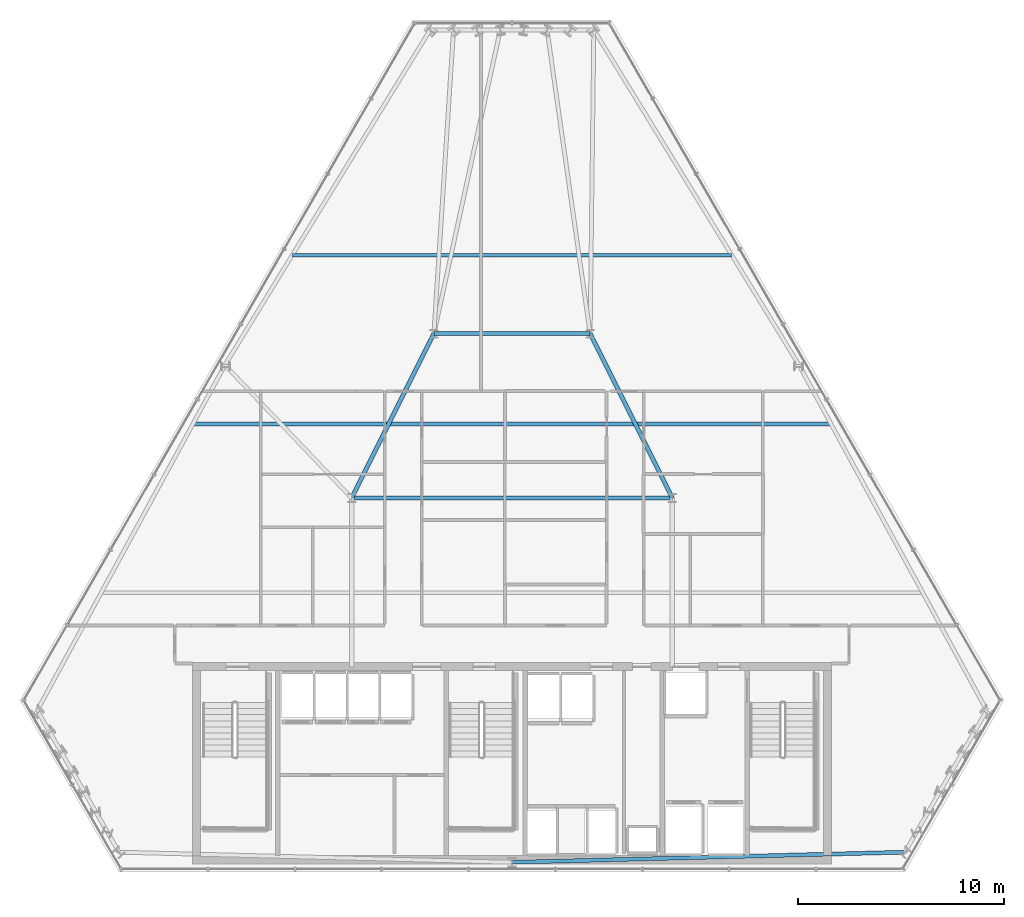
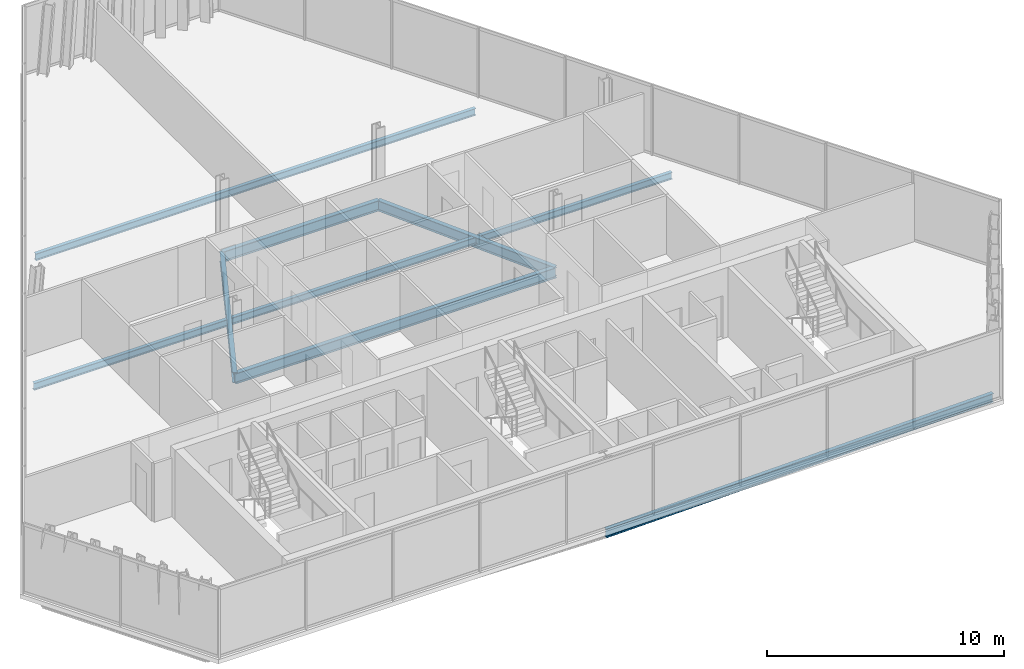
# One storey, part 13 of 33: 7 beams.
"""IFC4 building model written with IfcOpenShell, lengths in metres."""

from ifc_helpers import new_model, si_unit, direction, frame, origin, origin_2d, place, context, subcontext, project, spatial, i_section, extrude, material, material_profile, profile_set, type_object, element, save


model = new_model("IFC4")

# Units and contexts
model_context = context("Model", 3, precision=1e-05, world=origin(), true_north=direction((0.0, 1.0)))
body_context = subcontext(model_context, "Body", "Model", "MODEL_VIEW")
ifc_project = project(units=[si_unit("LENGTHUNIT", "METRE"), si_unit("AREAUNIT", "SQUARE_METRE"), si_unit("VOLUMEUNIT", "CUBIC_METRE"), si_unit("PLANEANGLEUNIT", "RADIAN"), si_unit("MASSUNIT", "GRAM", prefix="KILO")], contexts=[model_context])

# Site, building, storey
site_placement = place(None, origin())
site = spatial("IfcSite", under=ifc_project, at=site_placement, CompositionType="ELEMENT")
building_placement = place(site_placement, origin())
building = spatial("IfcBuilding", under=site, at=building_placement, Name="Ndaravel Arena Tower", CompositionType="ELEMENT")
storey_placement = place(building_placement, frame((0.0, 0.0, 187.800048828125)))
storey = spatial("IfcBuildingStorey", under=building, at=storey_placement, Name="L45", CompositionType="ELEMENT", Elevation=187.800048828125)

# Beams
ifc_material_1 = material(Name="Steel S355", Category="steel")
ifc_material_profile_1 = material_profile(ifc_material_1, i_section(OverallWidth=0.210693359375, OverallDepth=0.53955078125, WebThickness=0.01171875, FlangeThickness=0.018798828125, FilletRadius=0.0126953125, at=origin_2d()), Name="UB 533x210x109")
ifc_profile_set_1 = profile_set([ifc_material_profile_1], Name="Steel S355")
beam_type_1 = type_object("IfcBeamType", Name="BM-GIRD-UB533", PredefinedType="BEAM", material=ifc_profile_set_1)
beam_1_placement = place(storey_placement, frame((34.199951171875, 23.199951171875, -0.48974609375), z_axis=(1.0, 0.0, 0.0), x_axis=(0.0, 1.0, 0.0)))
element("IfcBeam", 1, at=beam_1_placement, inside=storey, type_object=beam_type_1, Name="L45 Spine Link Girder SLG-03", PredefinedType="BEAM", context=body_context, shape_type="SweptSolid", body=[
    extrude(i_section(OverallWidth=0.210693359375, OverallDepth=0.53955078125, WebThickness=0.01171875, FlangeThickness=0.018798828125, FilletRadius=0.0126953125, at=origin_2d()), origin(), (0.0, 0.0, 1.0), 15.60009765625),
])
for number, where, z_axis, x_axis, name in (
    (2, (34.199951171875, 23.199951171875, -0.48974609375), (0.4472135955, 0.894427191, 0.0), (-0.894427191, 0.4472135955, 0.0), "L45 Spine Link Girder SLG-04"),
    (3, (49.800048828125, 23.199951171875, -0.48974609375), (-0.4472135955, 0.894427191, 0.0), (-0.894427191, -0.4472135955, 0.0), "L45 Spine Link Girder SLG-05"),
):
    element("IfcBeam", number, at=place(storey_placement, frame(where, z_axis=z_axis, x_axis=x_axis)), inside=storey, type_object=beam_type_1, Name=name, PredefinedType="BEAM", context=body_context, shape_type="SweptSolid", body=[
        extrude(i_section(OverallWidth=0.210693359375, OverallDepth=0.53955078125, WebThickness=0.01171875, FlangeThickness=0.018798828125, FilletRadius=0.0126953125, at=origin_2d()), origin(), (0.0, 0.0, 1.0), 8.9443359375),
    ])
beam_2_placement = place(storey_placement, frame((38.199951171875, 31.199951171875, -0.48974609375), z_axis=(1.0, 0.0, 0.0), x_axis=(0.0, 1.0, 0.0)))
element("IfcBeam", 4, at=beam_2_placement, inside=storey, type_object=beam_type_1, Name="L45 Spine Link Girder SLG-06", PredefinedType="BEAM", context=body_context, shape_type="SweptSolid", body=[
    extrude(i_section(OverallWidth=0.210693359375, OverallDepth=0.53955078125, WebThickness=0.01171875, FlangeThickness=0.018798828125, FilletRadius=0.0126953125, at=origin_2d()), origin(), (0.0, 0.0, 1.0), 7.60009765625),
])
ifc_material_2 = material(Name="Steel S355", Category="steel")
ifc_material_profile_2 = material_profile(ifc_material_2, i_section(OverallWidth=0.172119140625, OverallDepth=0.35791015625, WebThickness=0.008056640625, FlangeThickness=0.012939453125, FilletRadius=0.01025390625, at=origin_2d()), Name="UB 356x171x57")
ifc_profile_set_2 = profile_set([ifc_material_profile_2], Name="Steel S355")
beam_type_2 = type_object("IfcBeamType", Name="BM-JOIST-UB356", PredefinedType="JOIST", material=ifc_profile_set_2)
beam_3_placement = place(storey_placement, frame((26.478515625, 26.800048828125, -0.399169921875), z_axis=(1.0, 0.0, 0.0), x_axis=(0.0, 1.0, 0.0)))
element("IfcBeam", 5, at=beam_3_placement, inside=storey, type_object=beam_type_2, Name="L45 Composite Floor Joist FJ-02", PredefinedType="JOIST", context=body_context, shape_type="SweptSolid", body=[
    extrude(i_section(OverallWidth=0.172119140625, OverallDepth=0.35791015625, WebThickness=0.008056640625, FlangeThickness=0.012939453125, FilletRadius=0.01025390625, at=origin_2d()), origin(), (0.0, 0.0, 1.0), 31.04296875),
])
beam_4_placement = place(storey_placement, frame((31.3017578125, 35.0, -0.399169921875), z_axis=(1.0, 0.0, 0.0), x_axis=(0.0, 1.0, 0.0)))
element("IfcBeam", 6, at=beam_4_placement, inside=storey, type_object=beam_type_2, Name="L45 Composite Floor Joist FJ-03", PredefinedType="JOIST", context=body_context, shape_type="SweptSolid", body=[
    extrude(i_section(OverallWidth=0.172119140625, OverallDepth=0.35791015625, WebThickness=0.008056640625, FlangeThickness=0.012939453125, FilletRadius=0.01025390625, at=origin_2d()), origin(), (0.0, 0.0, 1.0), 21.396484375),
])
ifc_material_3 = material(Name="Steel S355", Category="steel")
ifc_material_profile_3 = material_profile(ifc_material_3, i_section(OverallWidth=0.18994140625, OverallDepth=0.449951171875, WebThickness=0.009521484375, FlangeThickness=0.0146484375, FilletRadius=0.02099609375, at=origin_2d()), Name="IPE 450")
ifc_profile_set_3 = profile_set([ifc_material_profile_3], Name="Steel S355")
beam_type_3 = type_object("IfcBeamType", Name="BM-SPAN-IPE450", PredefinedType="SPANDREL", material=ifc_profile_set_3)
beam_5_placement = place(storey_placement, frame((42.0, 5.47998046875, -0.445068359375), z_axis=(0.999668285715, 0.025754971098, 0.0), x_axis=(-0.025754971098, 0.999668285715, 0.0)))
element("IfcBeam", 7, at=beam_5_placement, inside=storey, type_object=beam_type_3, Name="L45 Perimeter Spandrel Beam SP-01", PredefinedType="SPANDREL", context=body_context, shape_type="SweptSolid", body=[
    extrude(i_section(OverallWidth=0.18994140625, OverallDepth=0.449951171875, WebThickness=0.009521484375, FlangeThickness=0.0146484375, FilletRadius=0.02099609375, at=origin_2d()), origin(), (0.0, 0.0, 1.0), 19.119873046875),
])

save(model, "model.ifc")
